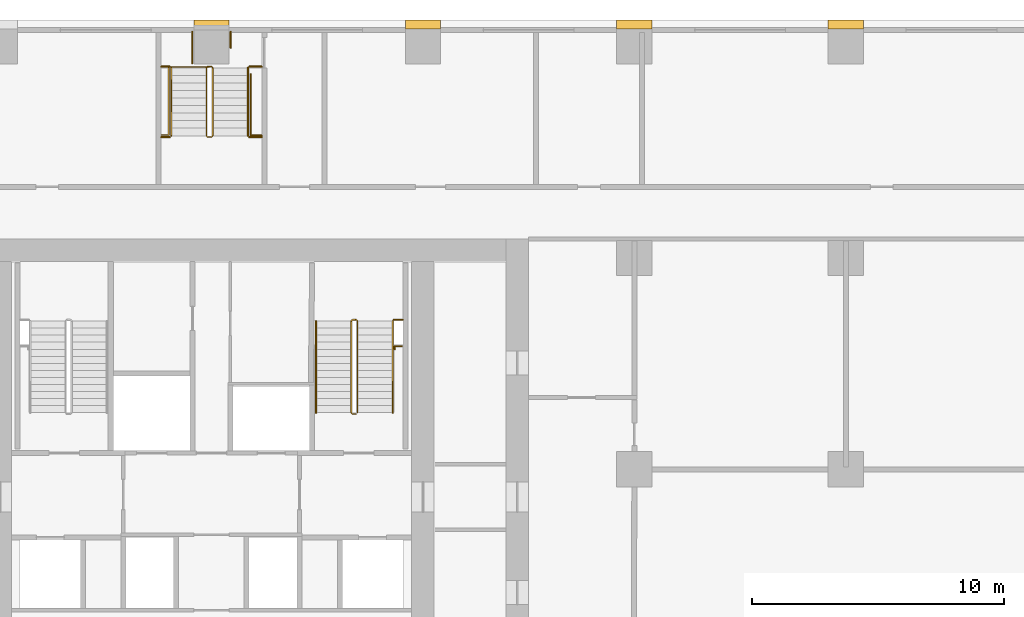
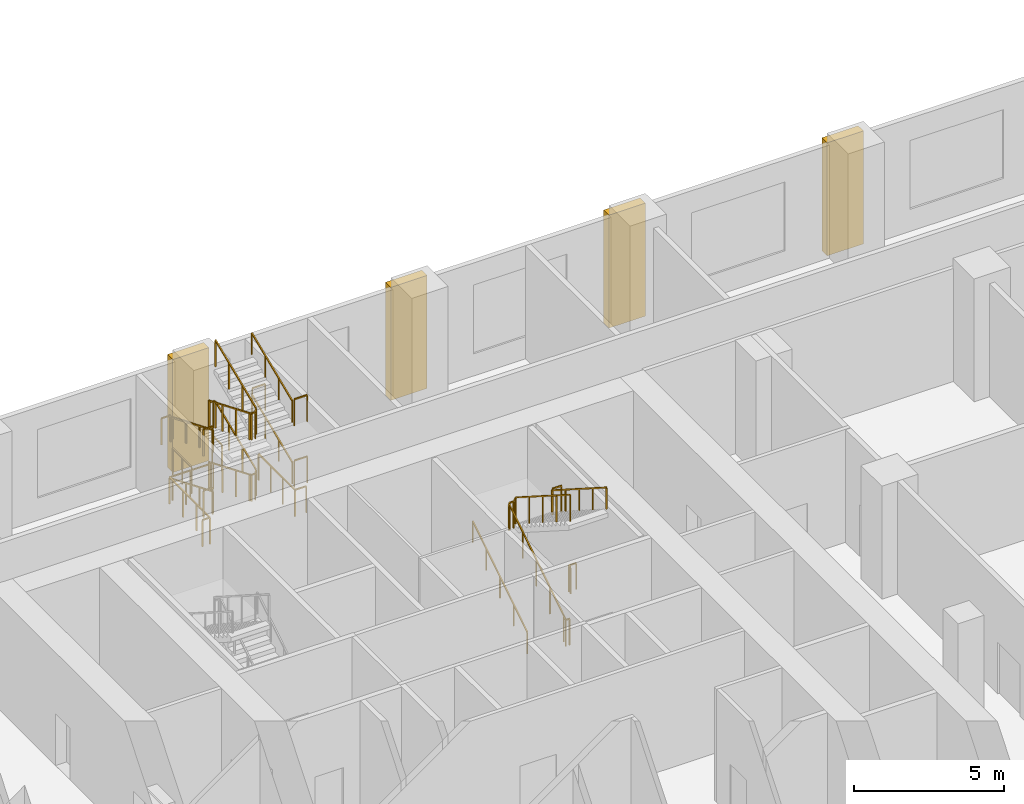
# One storey, part 25 of 29: 20 railings, 4 coverings.
"""IFC4 building model written with IfcOpenShell, lengths in metres."""

import ifcopenshell
import ifcopenshell.guid

model = None  # the IFC model being written
_history = None  # IfcOwnerHistory: only IFC2X3 demands one
_inside = {}  # id of a spatial element -> (the spatial element, [elements in it])
_under = {}  # id of a project, library or spatial element -> (it, [spatial elements below it])
_declared = {}  # id of a project -> (the project, [libraries it declares])
_typed = {}  # id of a type object -> (the type object, [elements of that type])
_made_of = {}  # id of a material, layer set ... -> (it, [elements and type objects made of it])


def new_model(schema):
    """Start an empty IFC model of exactly this schema.

    Asked for "IFC4X3", IfcOpenShell would pick the latest addendum, in which some entities
    have other attributes; the version numbers below select the first issue.
    IFC2X3 requires an IfcOwnerHistory on every rooted entity: one is made here for all.
    """
    global model, _history
    if schema == "IFC4X3":
        model = ifcopenshell.file(schema_version=(4, 3, 0, 0))
    else:
        model = ifcopenshell.file(schema=schema)
    _inside.clear()
    _under.clear()
    _declared.clear()
    _typed.clear()
    _made_of.clear()
    _history = None
    if model.schema == "IFC2X3":
        org = make("IfcOrganization", Name="unknown")
        user = make(
            "IfcPersonAndOrganization",
            ThePerson=make("IfcPerson", FamilyName="unknown"),
            TheOrganization=org,
        )
        app = make(
            "IfcApplication",
            ApplicationDeveloper=org,
            Version="unknown",
            ApplicationFullName="unknown",
            ApplicationIdentifier="unknown",
        )
        _history = make(
            "IfcOwnerHistory",
            OwningUser=user,
            OwningApplication=app,
            ChangeAction="ADDED",
            CreationDate=0,
        )
    return model


def make(cls, **values):
    """One entity of the class cls with the attributes given. An attribute that is None is left unset."""
    return model.create_entity(
        cls, **{name: value for name, value in values.items() if value is not None}
    )


def rooted(cls, **values):
    """An entity with a GlobalId (a new one), such as an element, a storey or a relation."""
    return make(cls, GlobalId=ifcopenshell.guid.new(), OwnerHistory=_history, **values)


def si_unit(unit_type, name, prefix=None):
    """IfcSIUnit, for example si_unit("LENGTHUNIT", "METRE", prefix="MILLI")."""
    return make("IfcSIUnit", UnitType=unit_type, Prefix=prefix, Name=name)


def assignment(units):
    """IfcUnitAssignment: the units of a project."""
    return None if units is None else make("IfcUnitAssignment", Units=units)


def point(xyz):
    """IfcCartesianPoint."""
    return None if xyz is None else make("IfcCartesianPoint", Coordinates=xyz)


def direction(xyz):
    """IfcDirection."""
    return None if xyz is None else make("IfcDirection", DirectionRatios=xyz)


def frame(location, z_axis=None, x_axis=None):
    """IfcAxis2Placement3D, a coordinate frame: its origin and axes. An axis left out is left unset."""
    return make(
        "IfcAxis2Placement3D",
        Location=point(location),
        Axis=direction(z_axis),
        RefDirection=direction(x_axis),
    )


def frame_2d(location, x_axis=None):
    """IfcAxis2Placement2D, a coordinate frame in the plane: its origin and x axis."""
    return make(
        "IfcAxis2Placement2D", Location=point(location), RefDirection=direction(x_axis)
    )


def origin():
    """The frame at (0, 0, 0) with its axes left unset."""
    return frame((0.0, 0.0, 0.0))


def origin_2d():
    """The frame at (0, 0) in the plane with its x axis left unset."""
    return frame_2d((0.0, 0.0))


def place(relative_to, where):
    """IfcLocalPlacement: puts the frame where relative to a parent placement (None: the world)."""
    return make(
        "IfcLocalPlacement", PlacementRelTo=relative_to, RelativePlacement=where
    )


def context(
    kind, dimensions, precision=None, world=None, true_north=None, identifier=None
):
    """IfcGeometricRepresentationContext, for example the 3D "Model" context."""
    return make(
        "IfcGeometricRepresentationContext",
        ContextIdentifier=identifier,
        ContextType=kind,
        CoordinateSpaceDimension=dimensions,
        Precision=precision,
        WorldCoordinateSystem=world,
        TrueNorth=true_north,
    )


def subcontext(parent, identifier, kind, view, scale=None):
    """IfcGeometricRepresentationSubContext, for example "Body" below "Model"."""
    return make(
        "IfcGeometricRepresentationSubContext",
        ContextIdentifier=identifier,
        ContextType=kind,
        ParentContext=parent,
        TargetScale=scale,
        TargetView=view,
    )


def project(units=None, contexts=None):
    """IfcProject with its units and contexts."""
    return rooted(
        "IfcProject",
        Name="project",
        RepresentationContexts=contexts,
        UnitsInContext=assignment(units),
    )


def spatial(cls, under=None, at=None, **own):
    """A site, building, storey or space (cls), placed at a placement, below another one or the project."""
    s = rooted(cls, ObjectPlacement=at, **own)
    if under is not None:
        _under.setdefault(under.id(), (under, []))[1].append(s)
    return s


def polyline(points):
    """IfcPolyline through the points."""
    return make("IfcPolyline", Points=[point(p) for p in points])


def profile(cls, at=None, kind="AREA", **sizes):
    """A parametric profile (cls). Its sizes go by their IFC names, for example OverallWidth=200.0."""
    return make(cls, ProfileType=kind, Position=at, **sizes)


def rectangle(**sizes):
    """IfcRectangleProfileDef."""
    return profile("IfcRectangleProfileDef", **sizes)


def outline(outer, holes=None, kind="AREA"):
    """IfcArbitraryClosedProfileDef: a profile drawn as a closed curve; with holes, ...WithVoids."""
    if holes is None:
        return make("IfcArbitraryClosedProfileDef", ProfileType=kind, OuterCurve=outer)
    return make(
        "IfcArbitraryProfileDefWithVoids",
        ProfileType=kind,
        OuterCurve=outer,
        InnerCurves=holes,
    )


def extrude(swept, where, along, depth):
    """IfcExtrudedAreaSolid: the profile swept, set in the frame where, extruded along a direction by depth."""
    return make(
        "IfcExtrudedAreaSolid",
        SweptArea=swept,
        Position=where,
        ExtrudedDirection=direction(along),
        Depth=depth,
    )


def shape(context_of_items, identifier, shape_type, items):
    """IfcShapeRepresentation: the items that make up one representation, for example the "Body"."""
    return make(
        "IfcShapeRepresentation",
        ContextOfItems=context_of_items,
        RepresentationIdentifier=identifier,
        RepresentationType=shape_type,
        Items=items,
    )


def material(Name=None, Category=None):
    """IfcMaterial."""
    return make("IfcMaterial", Name=Name, Category=Category)


def made_of(thing, what):
    """Note that an element or type object is made of a material, layer set ...; save() writes the relation."""
    if what is not None:
        _made_of.setdefault(what.id(), (what, []))[1].append(thing)
    return thing


def type_object(cls, material=None, **own):
    """A type object (cls), such as IfcWallType, which elements share."""
    return made_of(rooted(cls, **own), material)


def element(
    cls,
    number,
    at=None,
    inside=None,
    cuts=None,
    type_object=None,
    material=None,
    context=None,
    identifier="Body",
    shape_type=None,
    held_by="IfcProductDefinitionShape",
    body=None,
    shapes=None,
    **own,
):
    """One element of the class cls, such as IfcWall. Its Tag is "e" and its number.

    at: its placement. inside: the storey or other place that contains it. cuts: it is an
    opening in that element (IfcRelVoidsElement). A single representation is given by context,
    identifier, shape_type and body (its items); several are given by shapes. held_by: the class
    of the entity that holds the representations. save() writes the other relations.
    """
    e = rooted(cls, Tag="e%d" % number, ObjectPlacement=at, **own)
    if body is not None:
        shapes = [shape(context, identifier, shape_type, body)]
    if shapes is not None:
        e.Representation = make(held_by, Representations=shapes)
    if inside is not None:
        _inside.setdefault(inside.id(), (inside, []))[1].append(e)
    if cuts is not None:
        rooted(
            "IfcRelVoidsElement", RelatingBuildingElement=cuts, RelatedOpeningElement=e
        )
    if type_object is not None:
        _typed.setdefault(type_object.id(), (type_object, []))[1].append(e)
    return made_of(e, material)


def aggregate(whole, parts):
    """IfcRelAggregates: a whole, such as a stair, and the parts it consists of."""
    return rooted("IfcRelAggregates", RelatingObject=whole, RelatedObjects=parts)


def save(model, path):
    """Write the relations noted so far, then the file.

    IfcRelAggregates (storeys below a building ...), IfcRelContainedInSpatialStructure (elements
    in a storey), IfcRelDefinesByType, IfcRelAssociatesMaterial and IfcRelDeclares: one each for
    every whole, place, type object, material and project.
    """
    for whole, parts in _under.values():
        aggregate(whole, parts)
    for where, things in _inside.values():
        rooted(
            "IfcRelContainedInSpatialStructure",
            RelatedElements=things,
            RelatingStructure=where,
        )
    for kind, things in _typed.values():
        rooted("IfcRelDefinesByType", RelatedObjects=things, RelatingType=kind)
    for what, things in _made_of.values():
        rooted("IfcRelAssociatesMaterial", RelatedObjects=things, RelatingMaterial=what)
    for by, libraries in _declared.values():
        rooted("IfcRelDeclares", RelatingContext=by, RelatedDefinitions=libraries)
    model.write(path)


model = new_model("IFC4")

# Units and contexts
model_context = context("Model", 3, precision=1e-05, world=origin(), true_north=direction((0.0, 1.0)))
body_context = subcontext(model_context, "Body", "Model", "MODEL_VIEW")
ifc_project = project(units=[si_unit("LENGTHUNIT", "METRE"), si_unit("AREAUNIT", "SQUARE_METRE"), si_unit("VOLUMEUNIT", "CUBIC_METRE"), si_unit("PLANEANGLEUNIT", "RADIAN"), si_unit("MASSUNIT", "GRAM", prefix="KILO")], contexts=[model_context])

# Site, building, storey
site_placement = place(None, origin())
site = spatial("IfcSite", under=ifc_project, at=site_placement, CompositionType="ELEMENT")
building_placement = place(site_placement, origin())
building = spatial("IfcBuilding", under=site, at=building_placement, Name="Vermilion Ogive Tower", CompositionType="ELEMENT")
storey_placement = place(building_placement, frame((0.0, 0.0, 7.5)))
storey = spatial("IfcBuildingStorey", under=building, at=storey_placement, Name="L01", CompositionType="ELEMENT", Elevation=7.5)

# Railings
ifc_material_1 = material(Name="Steel S355 painted", Category="steel")
railing_type_1 = type_object("IfcRailingType", Name="Stair guard 1100", PredefinedType="GUARDRAIL", material=ifc_material_1)
railing_1_placement = place(storey_placement, frame((5.75, 14.800048828125, 0.0)))
element("IfcRailing", 1, at=railing_1_placement, inside=storey, type_object=railing_type_1, Name="L01 ST2 stair guard 4", PredefinedType="GUARDRAIL", context=body_context, shape_type="SweptSolid", body=[
    extrude(rectangle(XDim=0.048095703125, YDim=0.048095703125, at=origin_2d()), frame((0.0, 0.0, 1.076171875), z_axis=(-1.0, 0.0, 0.0), x_axis=(0.0, -1.0, 0.0)), (0.0, 0.0, 1.0), 0.14990234375),
    extrude(rectangle(XDim=0.048095703125, YDim=0.048095703125, at=origin_2d()), frame((-0.14990234375, 0.0, 1.076171875), z_axis=(-0.260684529273, 0.260684529273, 0.929562882432), x_axis=(-0.707106781187, -0.707106781187, 0.0)), (0.0, 0.0, 1.0), 0.19189453125),
    extrude(rectangle(XDim=0.048095703125, YDim=0.048095703125, at=origin_2d()), frame((-0.199951171875, 0.050048828125, 1.25439453125), z_axis=(0.0, 0.843111507901, 0.53773877045), x_axis=(-1.0, 0.0, 0.0)), (0.0, 0.0, 1.0), 4.317138671875),
    extrude(rectangle(XDim=0.048095703125, YDim=0.048095703125, at=origin_2d()), frame((-0.199951171875, 3.68994140625, 3.576171875), z_axis=(0.707106781187, 0.707106781187, 0.0), x_axis=(-0.707106781187, 0.707106781187, 0.0)), (0.0, 0.0, 1.0), 0.07080078125),
    extrude(rectangle(XDim=0.048095703125, YDim=0.048095703125, at=origin_2d()), frame((-0.14990234375, 3.739990234375, 3.576171875), z_axis=(1.0, 0.0, 0.0), x_axis=(0.0, 1.0, 0.0)), (0.0, 0.0, 1.0), 0.14990234375),
    extrude(rectangle(XDim=0.048095703125, YDim=0.048095703125, at=origin_2d()), frame((0.0, 3.739990234375, 3.576171875), z_axis=(0.260684529273, -0.260684529273, 0.929562882432), x_axis=(0.707106781187, 0.707106781187, 0.0)), (0.0, 0.0, 1.0), 0.19189453125),
    extrude(rectangle(XDim=0.048095703125, YDim=0.048095703125, at=origin_2d()), frame((0.050048828125, 3.68994140625, 3.75439453125), z_axis=(0.0, -0.843111507901, 0.53773877045), x_axis=(1.0, 0.0, 0.0)), (0.0, 0.0, 1.0), 4.317138671875),
    extrude(rectangle(XDim=0.0419921875, YDim=0.0419921875, at=origin_2d()), origin(), (0.0, 0.0, 1.0), 1.052001953125),
    extrude(rectangle(XDim=0.0419921875, YDim=0.0419921875, at=origin_2d()), frame((-0.14990234375, 0.0, 0.0)), (0.0, 0.0, 1.0), 1.052001953125),
    extrude(rectangle(XDim=0.0419921875, YDim=0.0419921875, at=origin_2d()), frame((-0.199951171875, 0.050048828125, 0.178466796875)), (0.0, 0.0, 1.0), 1.052001953125),
    extrude(rectangle(XDim=0.0419921875, YDim=0.0419921875, at=origin_2d()), frame((-0.199951171875, 0.9599609375, 0.7587890625)), (0.0, 0.0, 1.0), 1.052001953125),
    extrude(rectangle(XDim=0.0419921875, YDim=0.0419921875, at=origin_2d()), frame((-0.199951171875, 1.8701171875, 1.33935546875)), (0.0, 0.0, 1.0), 1.052001953125),
    extrude(rectangle(XDim=0.0419921875, YDim=0.0419921875, at=origin_2d()), frame((-0.199951171875, 2.780029296875, 1.919677734375)), (0.0, 0.0, 1.0), 1.052001953125),
    extrude(rectangle(XDim=0.0419921875, YDim=0.0419921875, at=origin_2d()), frame((-0.199951171875, 3.68994140625, 2.5)), (0.0, 0.0, 1.0), 1.052001953125),
    extrude(rectangle(XDim=0.0419921875, YDim=0.0419921875, at=origin_2d()), frame((-0.14990234375, 3.739990234375, 2.5)), (0.0, 0.0, 1.0), 1.052001953125),
    extrude(rectangle(XDim=0.0419921875, YDim=0.0419921875, at=origin_2d()), frame((0.0, 3.739990234375, 2.5)), (0.0, 0.0, 1.0), 1.052001953125),
    extrude(rectangle(XDim=0.0419921875, YDim=0.0419921875, at=origin_2d()), frame((0.050048828125, 3.68994140625, 2.678466796875)), (0.0, 0.0, 1.0), 1.052001953125),
    extrude(rectangle(XDim=0.0419921875, YDim=0.0419921875, at=origin_2d()), frame((0.050048828125, 2.780029296875, 3.2587890625)), (0.0, 0.0, 1.0), 1.052001953125),
    extrude(rectangle(XDim=0.0419921875, YDim=0.0419921875, at=origin_2d()), frame((0.050048828125, 1.8701171875, 3.83935546875)), (0.0, 0.0, 1.0), 1.052001953125),
    extrude(rectangle(XDim=0.0419921875, YDim=0.0419921875, at=origin_2d()), frame((0.050048828125, 0.9599609375, 4.419677734375)), (0.0, 0.0, 1.0), 1.052001953125),
    extrude(rectangle(XDim=0.0419921875, YDim=0.0419921875, at=origin_2d()), frame((0.050048828125, 0.050048828125, 5.0)), (0.0, 0.0, 1.0), 1.052001953125),
])
railing_2_placement = place(storey_placement, frame((0.0, 28.60009765625, 0.0)))
element("IfcRailing", 2, at=railing_2_placement, inside=storey, type_object=railing_type_1, Name="L01 PS5 stair guard 8", PredefinedType="GUARDRAIL", context=body_context, shape_type="SweptSolid", body=[
    extrude(rectangle(XDim=0.048095703125, YDim=0.048095703125, at=origin_2d()), frame((0.0, 0.0, 1.076171875), z_axis=(-1.0, 0.0, 0.0), x_axis=(0.0, -1.0, 0.0)), (0.0, 0.0, 1.0), 0.14990234375),
    extrude(rectangle(XDim=0.048095703125, YDim=0.048095703125, at=origin_2d()), frame((-0.14990234375, 0.0, 1.076171875), z_axis=(-0.34841279274, -0.34841279274, 0.870182194549), x_axis=(0.707106781187, -0.707106781187, 0.0)), (0.0, 0.0, 1.0), 0.1435546875),
    extrude(rectangle(XDim=0.048095703125, YDim=0.048095703125, at=origin_2d()), frame((-0.199951171875, -0.050048828125, 1.201171875), z_axis=(0.0, -0.923074453586, 0.384621311341), x_axis=(1.0, 0.0, 0.0)), (0.0, 0.0, 1.0), 2.925048828125),
    extrude(rectangle(XDim=0.048095703125, YDim=0.048095703125, at=origin_2d()), frame((-0.199951171875, -2.75, 2.326171875), z_axis=(0.707106781187, -0.707106781187, 0.0), x_axis=(0.707106781187, 0.707106781187, 0.0)), (0.0, 0.0, 1.0), 0.07080078125),
    extrude(rectangle(XDim=0.048095703125, YDim=0.048095703125, at=origin_2d()), frame((-0.14990234375, -2.800048828125, 2.326171875), z_axis=(1.0, 0.0, 0.0), x_axis=(0.0, 1.0, 0.0)), (0.0, 0.0, 1.0), 0.14990234375),
    extrude(rectangle(XDim=0.048095703125, YDim=0.048095703125, at=origin_2d()), frame((0.0, -2.800048828125, 2.326171875), z_axis=(0.34841279274, 0.34841279274, 0.870182194549), x_axis=(-0.707106781187, 0.707106781187, 0.0)), (0.0, 0.0, 1.0), 0.1435546875),
    extrude(rectangle(XDim=0.048095703125, YDim=0.048095703125, at=origin_2d()), frame((0.050048828125, -2.75, 2.451171875), z_axis=(0.0, 0.923074453586, 0.384621311341), x_axis=(-1.0, 0.0, 0.0)), (0.0, 0.0, 1.0), 2.925048828125),
    extrude(rectangle(XDim=0.048095703125, YDim=0.048095703125, at=origin_2d()), frame((0.050048828125, -0.050048828125, 3.576171875), z_axis=(-0.707106781187, 0.707106781187, 0.0), x_axis=(-0.707106781187, -0.707106781187, 0.0)), (0.0, 0.0, 1.0), 0.07080078125),
    extrude(rectangle(XDim=0.048095703125, YDim=0.048095703125, at=origin_2d()), frame((0.0, 0.0, 3.576171875), z_axis=(-1.0, 0.0, 0.0), x_axis=(0.0, -1.0, 0.0)), (0.0, 0.0, 1.0), 0.14990234375),
    extrude(rectangle(XDim=0.048095703125, YDim=0.048095703125, at=origin_2d()), frame((-0.14990234375, 0.0, 3.576171875), z_axis=(-0.34841279274, -0.34841279274, 0.870182194549), x_axis=(0.707106781187, -0.707106781187, 0.0)), (0.0, 0.0, 1.0), 0.1435546875),
    extrude(rectangle(XDim=0.048095703125, YDim=0.048095703125, at=origin_2d()), frame((-0.199951171875, -0.050048828125, 3.701171875), z_axis=(0.0, -0.923074453586, 0.384621311341), x_axis=(1.0, 0.0, 0.0)), (0.0, 0.0, 1.0), 2.925048828125),
    extrude(rectangle(XDim=0.048095703125, YDim=0.048095703125, at=origin_2d()), frame((-0.199951171875, -2.75, 4.826171875), z_axis=(0.707106781187, -0.707106781187, 0.0), x_axis=(0.707106781187, 0.707106781187, 0.0)), (0.0, 0.0, 1.0), 0.07080078125),
    extrude(rectangle(XDim=0.048095703125, YDim=0.048095703125, at=origin_2d()), frame((-0.14990234375, -2.800048828125, 4.826171875), z_axis=(1.0, 0.0, 0.0), x_axis=(0.0, 1.0, 0.0)), (0.0, 0.0, 1.0), 0.14990234375),
    extrude(rectangle(XDim=0.048095703125, YDim=0.048095703125, at=origin_2d()), frame((0.0, -2.800048828125, 4.826171875), z_axis=(0.34841279274, 0.34841279274, 0.870182194549), x_axis=(-0.707106781187, 0.707106781187, 0.0)), (0.0, 0.0, 1.0), 0.1435546875),
    extrude(rectangle(XDim=0.048095703125, YDim=0.048095703125, at=origin_2d()), frame((0.050048828125, -2.75, 4.951171875), z_axis=(0.0, 0.923074453586, 0.384621311341), x_axis=(-1.0, 0.0, 0.0)), (0.0, 0.0, 1.0), 2.925048828125),
    extrude(rectangle(XDim=0.0419921875, YDim=0.0419921875, at=origin_2d()), origin(), (0.0, 0.0, 1.0), 1.052001953125),
    extrude(rectangle(XDim=0.0419921875, YDim=0.0419921875, at=origin_2d()), frame((-0.14990234375, 0.0, 0.0)), (0.0, 0.0, 1.0), 1.052001953125),
    extrude(rectangle(XDim=0.0419921875, YDim=0.0419921875, at=origin_2d()), frame((-0.199951171875, -0.050048828125, 0.125)), (0.0, 0.0, 1.0), 1.052001953125),
    extrude(rectangle(XDim=0.0419921875, YDim=0.0419921875, at=origin_2d()), frame((-0.199951171875, -0.949951171875, 0.5)), (0.0, 0.0, 1.0), 1.052001953125),
    extrude(rectangle(XDim=0.0419921875, YDim=0.0419921875, at=origin_2d()), frame((-0.199951171875, -1.85009765625, 0.875)), (0.0, 0.0, 1.0), 1.052001953125),
    extrude(rectangle(XDim=0.0419921875, YDim=0.0419921875, at=origin_2d()), frame((-0.199951171875, -2.75, 1.25)), (0.0, 0.0, 1.0), 1.052001953125),
    extrude(rectangle(XDim=0.0419921875, YDim=0.0419921875, at=origin_2d()), frame((-0.14990234375, -2.800048828125, 1.25)), (0.0, 0.0, 1.0), 1.052001953125),
    extrude(rectangle(XDim=0.0419921875, YDim=0.0419921875, at=origin_2d()), frame((0.0, -2.800048828125, 1.25)), (0.0, 0.0, 1.0), 1.052001953125),
    extrude(rectangle(XDim=0.0419921875, YDim=0.0419921875, at=origin_2d()), frame((0.050048828125, -2.75, 1.375)), (0.0, 0.0, 1.0), 1.052001953125),
    extrude(rectangle(XDim=0.0419921875, YDim=0.0419921875, at=origin_2d()), frame((0.050048828125, -1.85009765625, 1.75)), (0.0, 0.0, 1.0), 1.052001953125),
    extrude(rectangle(XDim=0.0419921875, YDim=0.0419921875, at=origin_2d()), frame((0.050048828125, -0.949951171875, 2.125)), (0.0, 0.0, 1.0), 1.052001953125),
    extrude(rectangle(XDim=0.0419921875, YDim=0.0419921875, at=origin_2d()), frame((0.050048828125, -0.050048828125, 2.5)), (0.0, 0.0, 1.0), 1.052001953125),
    extrude(rectangle(XDim=0.0419921875, YDim=0.0419921875, at=origin_2d()), frame((0.0, 0.0, 2.5)), (0.0, 0.0, 1.0), 1.052001953125),
    extrude(rectangle(XDim=0.0419921875, YDim=0.0419921875, at=origin_2d()), frame((-0.14990234375, 0.0, 2.5)), (0.0, 0.0, 1.0), 1.052001953125),
    extrude(rectangle(XDim=0.0419921875, YDim=0.0419921875, at=origin_2d()), frame((-0.199951171875, -0.050048828125, 2.625)), (0.0, 0.0, 1.0), 1.052001953125),
    extrude(rectangle(XDim=0.0419921875, YDim=0.0419921875, at=origin_2d()), frame((-0.199951171875, -0.949951171875, 3.0)), (0.0, 0.0, 1.0), 1.052001953125),
    extrude(rectangle(XDim=0.0419921875, YDim=0.0419921875, at=origin_2d()), frame((-0.199951171875, -1.85009765625, 3.375)), (0.0, 0.0, 1.0), 1.052001953125),
    extrude(rectangle(XDim=0.0419921875, YDim=0.0419921875, at=origin_2d()), frame((-0.199951171875, -2.75, 3.75)), (0.0, 0.0, 1.0), 1.052001953125),
    extrude(rectangle(XDim=0.0419921875, YDim=0.0419921875, at=origin_2d()), frame((-0.14990234375, -2.800048828125, 3.75)), (0.0, 0.0, 1.0), 1.052001953125),
    extrude(rectangle(XDim=0.0419921875, YDim=0.0419921875, at=origin_2d()), frame((0.0, -2.800048828125, 3.75)), (0.0, 0.0, 1.0), 1.052001953125),
    extrude(rectangle(XDim=0.0419921875, YDim=0.0419921875, at=origin_2d()), frame((0.050048828125, -2.75, 3.875)), (0.0, 0.0, 1.0), 1.052001953125),
    extrude(rectangle(XDim=0.0419921875, YDim=0.0419921875, at=origin_2d()), frame((0.050048828125, -1.85009765625, 4.25)), (0.0, 0.0, 1.0), 1.052001953125),
    extrude(rectangle(XDim=0.0419921875, YDim=0.0419921875, at=origin_2d()), frame((0.050048828125, -0.949951171875, 4.625)), (0.0, 0.0, 1.0), 1.052001953125),
    extrude(rectangle(XDim=0.0419921875, YDim=0.0419921875, at=origin_2d()), frame((0.050048828125, -0.050048828125, 5.0)), (0.0, 0.0, 1.0), 1.052001953125),
])
for number, where, name in (
    (3, (7.25, 18.5400390625, 2.5), "L01 landing guard"),
    (4, (-2.0, 25.800048828125, 1.25), "L01 landing guard"),
):
    element("IfcRailing", number, at=place(storey_placement, frame(where)), inside=storey, type_object=railing_type_1, Name=name, PredefinedType="GUARDRAIL", context=body_context, shape_type="SweptSolid", body=[
        extrude(rectangle(XDim=0.048095703125, YDim=0.048095703125, at=origin_2d()), frame((0.0, 0.0, 1.076171875), z_axis=(1.0, 0.0, 0.0), x_axis=(0.0, 1.0, 0.0)), (0.0, 0.0, 1.0), 0.35009765625),
        extrude(rectangle(XDim=0.0419921875, YDim=0.0419921875, at=origin_2d()), origin(), (0.0, 0.0, 1.0), 1.052001953125),
        extrude(rectangle(XDim=0.0419921875, YDim=0.0419921875, at=origin_2d()), frame((0.35009765625, 0.0, 0.0)), (0.0, 0.0, 1.0), 1.052001953125),
    ])
railing_3_placement = place(storey_placement, frame((1.5, 25.800048828125, 1.25)))
element("IfcRailing", 5, at=railing_3_placement, inside=storey, type_object=railing_type_1, Name="L01 landing guard", PredefinedType="GUARDRAIL", context=body_context, shape_type="SweptSolid", body=[
    extrude(rectangle(XDim=0.048095703125, YDim=0.048095703125, at=origin_2d()), frame((0.0, 0.0, 1.076171875), z_axis=(1.0, 0.0, 0.0), x_axis=(0.0, 1.0, 0.0)), (0.0, 0.0, 1.0), 0.5),
    extrude(rectangle(XDim=0.0419921875, YDim=0.0419921875, at=origin_2d()), origin(), (0.0, 0.0, 1.0), 1.052001953125),
    extrude(rectangle(XDim=0.0419921875, YDim=0.0419921875, at=origin_2d()), frame((0.5, 0.0, 0.0)), (0.0, 0.0, 1.0), 1.052001953125),
])
railing_4_placement = place(storey_placement, frame((-2.0, 28.60009765625, 2.5)))
element("IfcRailing", 6, at=railing_4_placement, inside=storey, type_object=railing_type_1, Name="L01 landing guard", PredefinedType="GUARDRAIL", context=body_context, shape_type="SweptSolid", body=[
    extrude(rectangle(XDim=0.048095703125, YDim=0.048095703125, at=origin_2d()), frame((0.0, 0.0, 1.076171875), z_axis=(1.0, 0.0, 0.0), x_axis=(0.0, 1.0, 0.0)), (0.0, 0.0, 1.0), 0.35009765625),
    extrude(rectangle(XDim=0.0419921875, YDim=0.0419921875, at=origin_2d()), origin(), (0.0, 0.0, 1.0), 1.052001953125),
    extrude(rectangle(XDim=0.0419921875, YDim=0.0419921875, at=origin_2d()), frame((0.35009765625, 0.0, 0.0)), (0.0, 0.0, 1.0), 1.052001953125),
])
railing_5_placement = place(storey_placement, frame((1.5, 28.60009765625, 2.5)))
element("IfcRailing", 7, at=railing_5_placement, inside=storey, type_object=railing_type_1, Name="L01 landing guard", PredefinedType="GUARDRAIL", context=body_context, shape_type="SweptSolid", body=[
    extrude(rectangle(XDim=0.048095703125, YDim=0.048095703125, at=origin_2d()), frame((0.0, 0.0, 1.076171875), z_axis=(1.0, 0.0, 0.0), x_axis=(0.0, 1.0, 0.0)), (0.0, 0.0, 1.0), 0.5),
    extrude(rectangle(XDim=0.0419921875, YDim=0.0419921875, at=origin_2d()), origin(), (0.0, 0.0, 1.0), 1.052001953125),
    extrude(rectangle(XDim=0.0419921875, YDim=0.0419921875, at=origin_2d()), frame((0.5, 0.0, 0.0)), (0.0, 0.0, 1.0), 1.052001953125),
])
railing_6_placement = place(storey_placement, frame((-2.0, 25.800048828125, 3.75)))
element("IfcRailing", 8, at=railing_6_placement, inside=storey, type_object=railing_type_1, Name="L01 landing guard", PredefinedType="GUARDRAIL", context=body_context, shape_type="SweptSolid", body=[
    extrude(rectangle(XDim=0.048095703125, YDim=0.048095703125, at=origin_2d()), frame((0.0, 0.0, 1.076171875), z_axis=(1.0, 0.0, 0.0), x_axis=(0.0, 1.0, 0.0)), (0.0, 0.0, 1.0), 0.35009765625),
    extrude(rectangle(XDim=0.0419921875, YDim=0.0419921875, at=origin_2d()), origin(), (0.0, 0.0, 1.0), 1.052001953125),
    extrude(rectangle(XDim=0.0419921875, YDim=0.0419921875, at=origin_2d()), frame((0.35009765625, 0.0, 0.0)), (0.0, 0.0, 1.0), 1.052001953125),
])
railing_7_placement = place(storey_placement, frame((1.5, 25.800048828125, 3.75)))
element("IfcRailing", 9, at=railing_7_placement, inside=storey, type_object=railing_type_1, Name="L01 landing guard", PredefinedType="GUARDRAIL", context=body_context, shape_type="SweptSolid", body=[
    extrude(rectangle(XDim=0.048095703125, YDim=0.048095703125, at=origin_2d()), frame((0.0, 0.0, 1.076171875), z_axis=(1.0, 0.0, 0.0), x_axis=(0.0, 1.0, 0.0)), (0.0, 0.0, 1.0), 0.5),
    extrude(rectangle(XDim=0.0419921875, YDim=0.0419921875, at=origin_2d()), origin(), (0.0, 0.0, 1.0), 1.052001953125),
    extrude(rectangle(XDim=0.0419921875, YDim=0.0419921875, at=origin_2d()), frame((0.5, 0.0, 0.0)), (0.0, 0.0, 1.0), 1.052001953125),
])
railing_8_placement = place(storey_placement, frame((-1.9892578125, 25.884521484375, 0.0)))
element("IfcRailing", 10, at=railing_8_placement, inside=storey, type_object=railing_type_1, Name="L01 stair opening guard", PredefinedType="GUARDRAIL", context=body_context, shape_type="SweptSolid", body=[
    extrude(rectangle(XDim=0.048095703125, YDim=0.048095703125, at=origin_2d()), frame((0.0, 0.0, 1.076171875), z_axis=(1.0, 0.0, 0.0), x_axis=(0.0, 1.0, 0.0)), (0.0, 0.0, 1.0), 0.2900390625),
    extrude(rectangle(XDim=0.048095703125, YDim=0.048095703125, at=origin_2d()), frame((0.2900390625, 0.0, 1.076171875), z_axis=(0.0, 1.0, 0.0), x_axis=(-1.0, 0.0, 0.0)), (0.0, 0.0, 1.0), 2.699951171875),
    extrude(rectangle(XDim=0.048095703125, YDim=0.048095703125, at=origin_2d()), frame((0.2900390625, 2.699951171875, 1.076171875), z_axis=(1.0, 0.0, 0.0), x_axis=(0.0, 1.0, 0.0)), (0.0, 0.0, 1.0), 1.60009765625),
    extrude(rectangle(XDim=0.0419921875, YDim=0.0419921875, at=origin_2d()), origin(), (0.0, 0.0, 1.0), 1.052001953125),
    extrude(rectangle(XDim=0.0419921875, YDim=0.0419921875, at=origin_2d()), frame((0.2900390625, 0.0, 0.0)), (0.0, 0.0, 1.0), 1.052001953125),
    extrude(rectangle(XDim=0.0419921875, YDim=0.0419921875, at=origin_2d()), frame((0.2900390625, 0.89990234375, 0.0)), (0.0, 0.0, 1.0), 1.052001953125),
    extrude(rectangle(XDim=0.0419921875, YDim=0.0419921875, at=origin_2d()), frame((0.2900390625, 1.800048828125, 0.0)), (0.0, 0.0, 1.0), 1.052001953125),
    extrude(rectangle(XDim=0.0419921875, YDim=0.0419921875, at=origin_2d()), frame((0.2900390625, 2.699951171875, 0.0)), (0.0, 0.0, 1.0), 1.052001953125),
    extrude(rectangle(XDim=0.0419921875, YDim=0.0419921875, at=origin_2d()), frame((1.090087890625, 2.699951171875, 0.0)), (0.0, 0.0, 1.0), 1.052001953125),
    extrude(rectangle(XDim=0.0419921875, YDim=0.0419921875, at=origin_2d()), frame((1.89013671875, 2.699951171875, 0.0)), (0.0, 0.0, 1.0), 1.052001953125),
])
railing_9_placement = place(storey_placement, frame((1.55908203125, 28.284912109375, 0.0)))
element("IfcRailing", 11, at=railing_9_placement, inside=storey, type_object=railing_type_1, Name="L01 stair opening guard", PredefinedType="GUARDRAIL", context=body_context, shape_type="SweptSolid", body=[
    extrude(rectangle(XDim=0.048095703125, YDim=0.048095703125, at=origin_2d()), frame((0.0, 0.0, 1.076171875), z_axis=(0.0, -1.0, 0.0), x_axis=(1.0, 0.0, 0.0)), (0.0, 0.0, 1.0), 2.42431640625),
    extrude(rectangle(XDim=0.048095703125, YDim=0.048095703125, at=origin_2d()), frame((0.0, -2.42431640625, 1.076171875), z_axis=(1.0, 0.0, 0.0), x_axis=(0.0, 1.0, 0.0)), (0.0, 0.0, 1.0), 0.43994140625),
    extrude(rectangle(XDim=0.0419921875, YDim=0.0419921875, at=origin_2d()), origin(), (0.0, 0.0, 1.0), 1.052001953125),
    extrude(rectangle(XDim=0.0419921875, YDim=0.0419921875, at=origin_2d()), frame((0.0, -0.80810546875, 0.0)), (0.0, 0.0, 1.0), 1.052001953125),
    extrude(rectangle(XDim=0.0419921875, YDim=0.0419921875, at=origin_2d()), frame((0.0, -1.6162109375, 0.0)), (0.0, 0.0, 1.0), 1.052001953125),
    extrude(rectangle(XDim=0.0419921875, YDim=0.0419921875, at=origin_2d()), frame((0.0, -2.42431640625, 0.0)), (0.0, 0.0, 1.0), 1.052001953125),
    extrude(rectangle(XDim=0.0419921875, YDim=0.0419921875, at=origin_2d()), frame((0.43994140625, -2.42431640625, 0.0)), (0.0, 0.0, 1.0), 1.052001953125),
])
railing_10_placement = place(storey_placement, frame((7.27294921875, 17.37451171875, 0.0)))
element("IfcRailing", 12, at=railing_10_placement, inside=storey, type_object=railing_type_1, Name="L01 stair opening guard", PredefinedType="GUARDRAIL", context=body_context, shape_type="SweptSolid", body=[
    extrude(rectangle(XDim=0.048095703125, YDim=0.048095703125, at=origin_2d()), frame((0.0, 0.0, 1.076171875), z_axis=(0.0, 1.0, 0.0), x_axis=(-1.0, 0.0, 0.0)), (0.0, 0.0, 1.0), 0.1201171875),
    extrude(rectangle(XDim=0.048095703125, YDim=0.048095703125, at=origin_2d()), frame((0.0, 0.1201171875, 1.076171875), z_axis=(1.0, 0.0, 0.0), x_axis=(0.0, 1.0, 0.0)), (0.0, 0.0, 1.0), 0.2900390625),
    extrude(rectangle(XDim=0.0419921875, YDim=0.0419921875, at=origin_2d()), origin(), (0.0, 0.0, 1.0), 1.052001953125),
    extrude(rectangle(XDim=0.0419921875, YDim=0.0419921875, at=origin_2d()), frame((0.0, 0.1201171875, 0.0)), (0.0, 0.0, 1.0), 1.052001953125),
    extrude(rectangle(XDim=0.0419921875, YDim=0.0419921875, at=origin_2d()), frame((0.2900390625, 0.1201171875, 0.0)), (0.0, 0.0, 1.0), 1.052001953125),
])
railing_11_placement = place(storey_placement, frame((-0.760009765625, 29.989990234375, 0.0)))
element("IfcRailing", 13, at=railing_11_placement, inside=storey, type_object=railing_type_1, Name="L01 stair opening guard", PredefinedType="GUARDRAIL", context=body_context, shape_type="SweptSolid", body=[
    extrude(rectangle(XDim=0.048095703125, YDim=0.048095703125, at=origin_2d()), frame((0.0, 0.0, 1.076171875), z_axis=(0.0, -1.0, 0.0), x_axis=(1.0, 0.0, 0.0)), (0.0, 0.0, 1.0), 1.25537109375),
    extrude(rectangle(XDim=0.0419921875, YDim=0.0419921875, at=origin_2d()), origin(), (0.0, 0.0, 1.0), 1.052001953125),
    extrude(rectangle(XDim=0.0419921875, YDim=0.0419921875, at=origin_2d()), frame((0.0, -0.627685546875, 0.0)), (0.0, 0.0, 1.0), 1.052001953125),
    extrude(rectangle(XDim=0.0419921875, YDim=0.0419921875, at=origin_2d()), frame((0.0, -1.25537109375, 0.0)), (0.0, 0.0, 1.0), 1.052001953125),
])
railing_12_placement = place(storey_placement, frame((0.760009765625, 29.347412109375, 0.0)))
element("IfcRailing", 14, at=railing_12_placement, inside=storey, type_object=railing_type_1, Name="L01 stair opening guard", PredefinedType="GUARDRAIL", context=body_context, shape_type="SweptSolid", body=[
    extrude(rectangle(XDim=0.048095703125, YDim=0.048095703125, at=origin_2d()), frame((0.0, 0.0, 1.076171875), z_axis=(0.0, 1.0, 0.0), x_axis=(-1.0, 0.0, 0.0)), (0.0, 0.0, 1.0), 0.642578125),
    extrude(rectangle(XDim=0.0419921875, YDim=0.0419921875, at=origin_2d()), origin(), (0.0, 0.0, 1.0), 1.052001953125),
    extrude(rectangle(XDim=0.0419921875, YDim=0.0419921875, at=origin_2d()), frame((0.0, 0.642578125, 0.0)), (0.0, 0.0, 1.0), 1.052001953125),
])
ifc_material_2 = material(Name="Stainless steel", Category="steel")
railing_type_2 = type_object("IfcRailingType", Name="Stair handrail 900", PredefinedType="HANDRAIL", material=ifc_material_2)
railing_13_placement = place(storey_placement, frame((4.14990234375, 14.85009765625, 0.178466796875)))
element("IfcRailing", 15, at=railing_13_placement, inside=storey, type_object=railing_type_2, Name="L01 ST2 stair handrail 1", PredefinedType="HANDRAIL", context=body_context, shape_type="SweptSolid", body=[
    extrude(rectangle(XDim=0.048095703125, YDim=0.048095703125, at=origin_2d()), frame((0.0, 0.0, 0.8759765625), z_axis=(0.0, 0.843111507901, 0.53773877045), x_axis=(-1.0, 0.0, 0.0)), (0.0, 0.0, 1.0), 4.317138671875),
    extrude(rectangle(XDim=0.0419921875, YDim=0.0419921875, at=origin_2d()), origin(), (0.0, 0.0, 1.0), 0.851806640625),
    extrude(rectangle(XDim=0.0419921875, YDim=0.0419921875, at=origin_2d()), frame((0.0, 0.909912109375, 0.580322265625)), (0.0, 0.0, 1.0), 0.851806640625),
    extrude(rectangle(XDim=0.0419921875, YDim=0.0419921875, at=origin_2d()), frame((0.0, 1.81982421875, 1.16064453125)), (0.0, 0.0, 1.0), 0.851806640625),
    extrude(rectangle(XDim=0.0419921875, YDim=0.0419921875, at=origin_2d()), frame((0.0, 2.72998046875, 1.7412109375)), (0.0, 0.0, 1.0), 0.851806640625),
    extrude(rectangle(XDim=0.0419921875, YDim=0.0419921875, at=origin_2d()), frame((0.0, 3.639892578125, 2.321533203125)), (0.0, 0.0, 1.0), 0.851806640625),
])
railing_14_placement = place(storey_placement, frame((7.199951171875, 18.489990234375, 2.678466796875)))
element("IfcRailing", 16, at=railing_14_placement, inside=storey, type_object=railing_type_2, Name="L01 ST2 stair handrail 2", PredefinedType="HANDRAIL", context=body_context, shape_type="SweptSolid", body=[
    extrude(rectangle(XDim=0.048095703125, YDim=0.048095703125, at=origin_2d()), frame((0.0, 0.0, 0.8759765625), z_axis=(0.0, -0.843111507901, 0.53773877045), x_axis=(1.0, 0.0, 0.0)), (0.0, 0.0, 1.0), 4.317138671875),
    extrude(rectangle(XDim=0.0419921875, YDim=0.0419921875, at=origin_2d()), origin(), (0.0, 0.0, 1.0), 0.851806640625),
    extrude(rectangle(XDim=0.0419921875, YDim=0.0419921875, at=origin_2d()), frame((0.0, -0.909912109375, 0.580322265625)), (0.0, 0.0, 1.0), 0.851806640625),
    extrude(rectangle(XDim=0.0419921875, YDim=0.0419921875, at=origin_2d()), frame((0.0, -1.81982421875, 1.16064453125)), (0.0, 0.0, 1.0), 0.851806640625),
    extrude(rectangle(XDim=0.0419921875, YDim=0.0419921875, at=origin_2d()), frame((0.0, -2.72998046875, 1.7412109375)), (0.0, 0.0, 1.0), 0.851806640625),
    extrude(rectangle(XDim=0.0419921875, YDim=0.0419921875, at=origin_2d()), frame((0.0, -3.639892578125, 2.321533203125)), (0.0, 0.0, 1.0), 0.851806640625),
])
railing_15_placement = place(storey_placement, frame((-1.60009765625, 28.550048828125, 0.125)))
element("IfcRailing", 17, at=railing_15_placement, inside=storey, type_object=railing_type_2, Name="L01 PS5 stair handrail 1", PredefinedType="HANDRAIL", context=body_context, shape_type="SweptSolid", body=[
    extrude(rectangle(XDim=0.048095703125, YDim=0.048095703125, at=origin_2d()), frame((0.0, 0.0, 0.8759765625), z_axis=(0.0, -0.923074453586, 0.384621311341), x_axis=(1.0, 0.0, 0.0)), (0.0, 0.0, 1.0), 2.925048828125),
    extrude(rectangle(XDim=0.0419921875, YDim=0.0419921875, at=origin_2d()), origin(), (0.0, 0.0, 1.0), 0.851806640625),
    extrude(rectangle(XDim=0.0419921875, YDim=0.0419921875, at=origin_2d()), frame((0.0, -0.89990234375, 0.375)), (0.0, 0.0, 1.0), 0.851806640625),
    extrude(rectangle(XDim=0.0419921875, YDim=0.0419921875, at=origin_2d()), frame((0.0, -1.800048828125, 0.75)), (0.0, 0.0, 1.0), 0.851806640625),
    extrude(rectangle(XDim=0.0419921875, YDim=0.0419921875, at=origin_2d()), frame((0.0, -2.699951171875, 1.125)), (0.0, 0.0, 1.0), 0.851806640625),
])
railing_16_placement = place(storey_placement, frame((1.449951171875, 25.85009765625, 1.375)))
element("IfcRailing", 18, at=railing_16_placement, inside=storey, type_object=railing_type_2, Name="L01 PS5 stair handrail 2", PredefinedType="HANDRAIL", context=body_context, shape_type="SweptSolid", body=[
    extrude(rectangle(XDim=0.048095703125, YDim=0.048095703125, at=origin_2d()), frame((0.0, 0.0, 0.8759765625), z_axis=(0.0, 0.923074453586, 0.384621311341), x_axis=(-1.0, 0.0, 0.0)), (0.0, 0.0, 1.0), 2.925048828125),
    extrude(rectangle(XDim=0.0419921875, YDim=0.0419921875, at=origin_2d()), origin(), (0.0, 0.0, 1.0), 0.851806640625),
    extrude(rectangle(XDim=0.0419921875, YDim=0.0419921875, at=origin_2d()), frame((0.0, 0.89990234375, 0.375)), (0.0, 0.0, 1.0), 0.851806640625),
    extrude(rectangle(XDim=0.0419921875, YDim=0.0419921875, at=origin_2d()), frame((0.0, 1.800048828125, 0.75)), (0.0, 0.0, 1.0), 0.851806640625),
    extrude(rectangle(XDim=0.0419921875, YDim=0.0419921875, at=origin_2d()), frame((0.0, 2.699951171875, 1.125)), (0.0, 0.0, 1.0), 0.851806640625),
])
railing_17_placement = place(storey_placement, frame((-1.60009765625, 28.550048828125, 2.625)))
element("IfcRailing", 19, at=railing_17_placement, inside=storey, type_object=railing_type_2, Name="L01 PS5 stair handrail 3", PredefinedType="HANDRAIL", context=body_context, shape_type="SweptSolid", body=[
    extrude(rectangle(XDim=0.048095703125, YDim=0.048095703125, at=origin_2d()), frame((0.0, 0.0, 0.8759765625), z_axis=(0.0, -0.923074453586, 0.384621311341), x_axis=(1.0, 0.0, 0.0)), (0.0, 0.0, 1.0), 2.925048828125),
    extrude(rectangle(XDim=0.0419921875, YDim=0.0419921875, at=origin_2d()), origin(), (0.0, 0.0, 1.0), 0.851806640625),
    extrude(rectangle(XDim=0.0419921875, YDim=0.0419921875, at=origin_2d()), frame((0.0, -0.89990234375, 0.375)), (0.0, 0.0, 1.0), 0.851806640625),
    extrude(rectangle(XDim=0.0419921875, YDim=0.0419921875, at=origin_2d()), frame((0.0, -1.800048828125, 0.75)), (0.0, 0.0, 1.0), 0.851806640625),
    extrude(rectangle(XDim=0.0419921875, YDim=0.0419921875, at=origin_2d()), frame((0.0, -2.699951171875, 1.125)), (0.0, 0.0, 1.0), 0.851806640625),
])
railing_18_placement = place(storey_placement, frame((1.449951171875, 25.85009765625, 3.875)))
element("IfcRailing", 20, at=railing_18_placement, inside=storey, type_object=railing_type_2, Name="L01 PS5 stair handrail 4", PredefinedType="HANDRAIL", context=body_context, shape_type="SweptSolid", body=[
    extrude(rectangle(XDim=0.048095703125, YDim=0.048095703125, at=origin_2d()), frame((0.0, 0.0, 0.8759765625), z_axis=(0.0, 0.923074453586, 0.384621311341), x_axis=(-1.0, 0.0, 0.0)), (0.0, 0.0, 1.0), 2.925048828125),
    extrude(rectangle(XDim=0.0419921875, YDim=0.0419921875, at=origin_2d()), origin(), (0.0, 0.0, 1.0), 0.851806640625),
    extrude(rectangle(XDim=0.0419921875, YDim=0.0419921875, at=origin_2d()), frame((0.0, 0.89990234375, 0.375)), (0.0, 0.0, 1.0), 0.851806640625),
    extrude(rectangle(XDim=0.0419921875, YDim=0.0419921875, at=origin_2d()), frame((0.0, 1.800048828125, 0.75)), (0.0, 0.0, 1.0), 0.851806640625),
    extrude(rectangle(XDim=0.0419921875, YDim=0.0419921875, at=origin_2d()), frame((0.0, 2.699951171875, 1.125)), (0.0, 0.0, 1.0), 0.851806640625),
])

# Coverings
ifc_material_3 = material(Name="Stone cladding", Category="masonry")
covering_type = type_object("IfcCoveringType", Name="Stone pier", PredefinedType="CLADDING", material=ifc_material_3)
covering_1_placement = place(storey_placement, origin())
element("IfcCovering", 21, at=covering_1_placement, inside=storey, type_object=covering_type, Name="Stone pier P+000+294", PredefinedType="CLADDING", context=body_context, shape_type="SweptSolid", body=[
    extrude(outline(polyline([(-0.699951171875, 30.10009765625), (-0.699951171875, 30.10009765625), (-0.699951171875, 30.449951171875), (0.699951171875, 30.449951171875), (0.699951171875, 30.10009765625), (0.699951171875, 30.10009765625), (-0.699951171875, 30.10009765625)])), origin(), (0.0, 0.0, 1.0), 4.60009765625),
])
covering_2_placement = place(storey_placement, origin())
element("IfcCovering", 22, at=covering_2_placement, inside=storey, type_object=covering_type, Name="Stone pier P+084+294", PredefinedType="CLADDING", context=body_context, shape_type="SweptSolid", body=[
    extrude(outline(polyline([(7.699951171875, 30.10009765625), (7.699951171875, 30.10009765625), (7.699951171875, 30.449951171875), (9.10009765625, 30.449951171875), (9.10009765625, 30.10009765625), (9.10009765625, 30.10009765625), (7.699951171875, 30.10009765625)])), origin(), (0.0, 0.0, 1.0), 4.60009765625),
])
covering_3_placement = place(storey_placement, origin())
element("IfcCovering", 23, at=covering_3_placement, inside=storey, type_object=covering_type, Name="Stone pier P+168+294", PredefinedType="CLADDING", context=body_context, shape_type="SweptSolid", body=[
    extrude(outline(polyline([(16.10009765625, 30.10009765625), (16.10009765625, 30.449951171875), (17.5, 30.449951171875), (17.5, 30.10009765625), (17.5, 30.10009765625), (16.10009765625, 30.10009765625)])), origin(), (0.0, 0.0, 1.0), 4.60009765625),
])
covering_4_placement = place(storey_placement, origin())
element("IfcCovering", 24, at=covering_4_placement, inside=storey, type_object=covering_type, Name="Stone pier P+252+294", PredefinedType="CLADDING", context=body_context, shape_type="SweptSolid", body=[
    extrude(outline(polyline([(24.5, 30.449951171875), (25.89990234375, 30.449951171875), (25.89990234375, 30.10009765625), (24.5, 30.10009765625), (24.5, 30.449951171875)])), origin(), (0.0, 0.0, 1.0), 4.60009765625),
])

save(model, "model.ifc")
